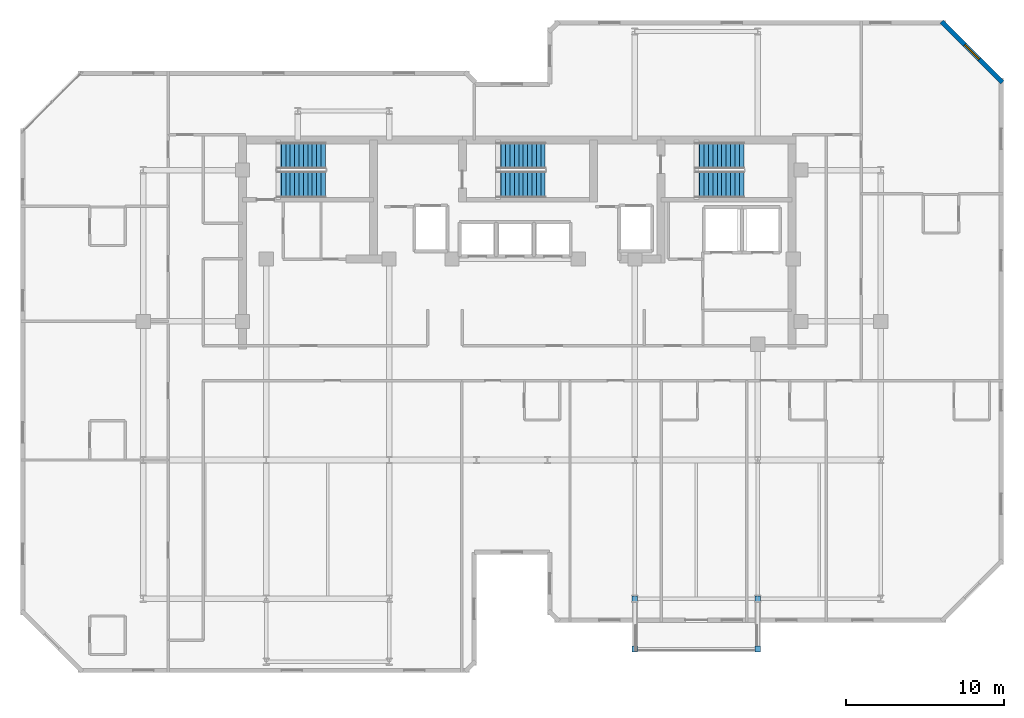
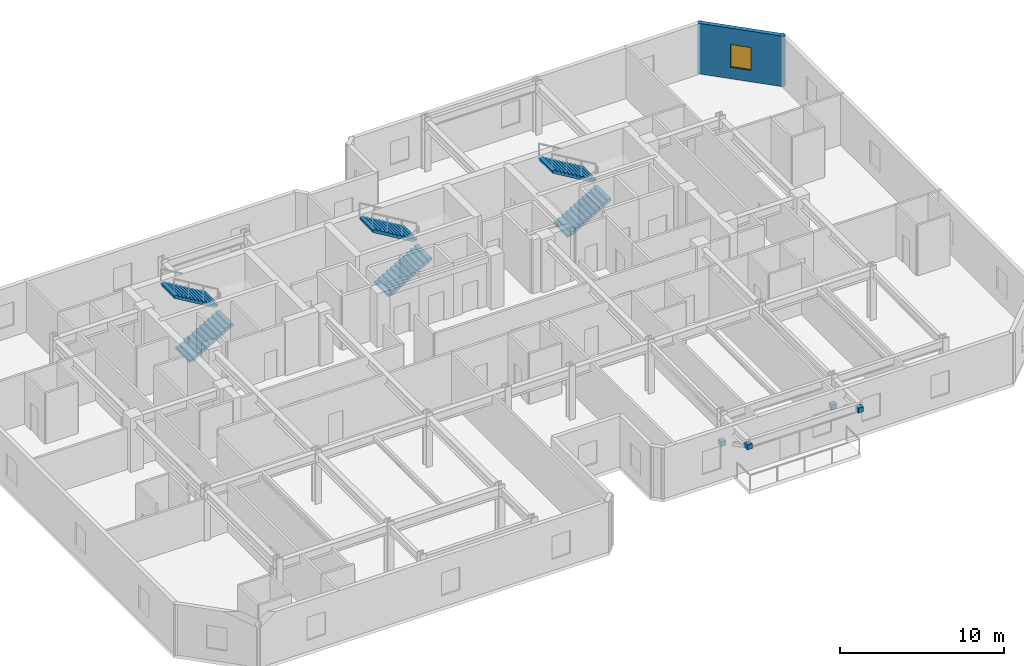
# One storey, part 8 of 11: 6 stair flights, 4 discrete accessories, 1 wall, 1 window, 1 opening, 3 elements without a shape of their own.
"""IFC4 building model written with IfcOpenShell, lengths in metres."""

from ifc_helpers import new_model, si_unit, direction, frame, frame_2d, origin, origin_2d, place, context, subcontext, project, spatial, polyline, rectangle, outline, extrude, material, layer, layer_set, type_object, element, fill, aggregate, save


model = new_model("IFC4")

# Units and contexts
model_context = context("Model", 3, precision=1e-05, world=origin(), true_north=direction((0.0, 1.0)))
body_context = subcontext(model_context, "Body", "Model", "MODEL_VIEW")
ifc_project = project(units=[si_unit("LENGTHUNIT", "METRE"), si_unit("AREAUNIT", "SQUARE_METRE"), si_unit("VOLUMEUNIT", "CUBIC_METRE"), si_unit("PLANEANGLEUNIT", "RADIAN"), si_unit("MASSUNIT", "GRAM", prefix="KILO")], contexts=[model_context])

# Site, building, storey
site_placement = place(None, origin())
site = spatial("IfcSite", under=ifc_project, at=site_placement, CompositionType="ELEMENT")
building_placement = place(site_placement, origin())
building = spatial("IfcBuilding", under=site, at=building_placement, Name="Kestravale Grand Hotel", CompositionType="ELEMENT")
storey_placement = place(building_placement, frame((0.0, 0.0, 249.39990234375)))
storey = spatial("IfcBuildingStorey", under=building, at=storey_placement, Name="L62", CompositionType="ELEMENT", Elevation=249.39990234375)

# Wall, opening, window
ifc_material_1 = material(Name="Precast concrete f'c 45 MPa", Category="concrete")
ifc_layer = layer(ifc_material_1, 0.280029296875)
ifc_layer_set = layer_set([ifc_layer], Name="EW-PREC-280")
wall_type = type_object("IfcWallType", Name="EW-PREC-280", PredefinedType="SOLIDWALL", material=ifc_layer_set)
wall_placement = place(storey_placement, frame((70.12939453125, 43.97265625, 0.0), z_axis=(0.0, 0.0, 1.0), x_axis=(-0.707106781187, 0.707106781187, 0.0)))
wall = element("IfcWall", 1, at=wall_placement, inside=storey, type_object=wall_type, Name="L62 fluted precast facade wall 10", PredefinedType="SOLIDWALL", context=body_context, shape_type="SweptSolid", body=[
    extrude(rectangle(XDim=5.4541015625, YDim=0.280029296875, at=frame_2d((2.72705078125, 0.0))), origin(), (0.0, 0.0, 1.0), 3.760009765625),
])
opening_placement = place(wall_placement, frame((2.076904296875, 0.0, 0.85009765625)))
opening = element("IfcOpeningElement", 2, at=opening_placement, cuts=wall, Name="Opening W-GUEST-1300", PredefinedType="OPENING", context=body_context, shape_type="SweptSolid", body=[
    extrude(rectangle(XDim=1.300048828125, YDim=1.699951171875, at=frame_2d((0.64990234375, 0.85009765625))), frame((0.0, 0.14990234375, 0.0), z_axis=(0.0, -1.0, 0.0), x_axis=(1.0, 0.0, 0.0)), (0.0, 0.0, 1.0), 0.300048828125),
])
ifc_material_2 = material(Name="Insulated low-E double glazing in aluminium frame", Category="aluminium")
window_type = type_object("IfcWindowType", Name="W-GUEST-1300", PartitioningType="SINGLE_PANEL", PredefinedType="WINDOW", material=ifc_material_2)
window_placement = place(opening_placement, origin())
window = element("IfcWindow", 3, at=window_placement, inside=storey, type_object=window_type, Name="L62 exterior window 10.1", OverallHeight=1.699951171875, OverallWidth=1.300048828125, PartitioningType="SINGLE_PANEL", PredefinedType="WINDOW", context=body_context, shape_type="SweptSolid", body=[
    extrude(rectangle(XDim=1.300048828125, YDim=1.699951171875, at=frame_2d((0.64990234375, 0.85009765625))), frame((0.0, 0.030029296875, 0.0), z_axis=(0.0, -1.0, 0.0), x_axis=(1.0, 0.0, 0.0)), (0.0, 0.0, 1.0), 0.06005859375),
])
fill(opening, window)

# Stair, stair flights
ifc_material_3 = material(Name="Concrete f'c 45 MPa", Category="concrete")
stair_type = type_object("IfcStairType", Name="ST-CORE-400", PredefinedType="HALF_TURN_STAIR", material=ifc_material_3)
stair_1_placement = place(storey_placement, origin())
stair_1 = element("IfcStair", 4, at=stair_1_placement, inside=storey, type_object=stair_type, Name="L62 ST-1", PredefinedType="HALF_TURN_STAIR")
ifc_material_4 = material(Name="Concrete f'c 45 MPa", Category="concrete")
stair_flight_type = type_object("IfcStairFlightType", Name="STF-CORE-400", PredefinedType="STRAIGHT", material=ifc_material_4)
stair_flight_1_placement = place(storey_placement, frame((24.080078125, 37.489990234375, 0.0), z_axis=(0.0, 0.0, 1.0), x_axis=(1.0, 0.0, 0.0)))
stair_flight_1 = element("IfcStairFlight", 5, at=stair_flight_1_placement, type_object=stair_flight_type, Name="ST-1 flight 1", NumberOfRisers=12, NumberOfTreads=11, PredefinedType="STRAIGHT", RiserHeight=0.166666667, TreadLength=0.28, context=body_context, shape_type="SweptSolid", body=[
    extrude(outline(polyline([(0.0, 0.0), (0.0, 0.166748046875), (0.280029296875, 0.166748046875), (0.280029296875, 0.333251953125), (0.56005859375, 0.333251953125), (0.56005859375, 0.5), (0.840087890625, 0.5), (0.840087890625, 0.666748046875), (1.1201171875, 0.666748046875), (1.1201171875, 0.833251953125), (1.39990234375, 0.833251953125), (1.39990234375, 1.0), (1.679931640625, 1.0), (1.679931640625, 1.166748046875), (1.9599609375, 1.166748046875), (1.9599609375, 1.333251953125), (2.239990234375, 1.333251953125), (2.239990234375, 1.5), (2.52001953125, 1.5), (2.52001953125, 1.666748046875), (2.800048828125, 1.666748046875), (2.800048828125, 1.833251953125), (3.080078125, 1.833251953125), (3.080078125, 2.0), (3.080078125, 1.658935546875), (0.29296875, 0.0), (0.0, 0.0)])), frame((0.0, 0.83984375, 0.0), z_axis=(0.0, -1.0, 0.0), x_axis=(1.0, 0.0, 0.0)), (0.0, 0.0, 1.0), 1.679931640625),
])
stair_flight_2_placement = place(storey_placement, frame((27.159912109375, 39.320068359375, 2.0), z_axis=(0.0, 0.0, 1.0), x_axis=(-1.0, 0.0, 0.0)))
stair_flight_2 = element("IfcStairFlight", 6, at=stair_flight_2_placement, type_object=stair_flight_type, Name="ST-1 flight 2", NumberOfRisers=12, NumberOfTreads=11, PredefinedType="STRAIGHT", RiserHeight=0.166666667, TreadLength=0.28, context=body_context, shape_type="SweptSolid", body=[
    extrude(outline(polyline([(0.0, 0.0), (0.0, 0.166748046875), (0.280029296875, 0.166748046875), (0.280029296875, 0.333251953125), (0.56005859375, 0.333251953125), (0.56005859375, 0.5), (0.840087890625, 0.5), (0.840087890625, 0.666748046875), (1.1201171875, 0.666748046875), (1.1201171875, 0.833251953125), (1.39990234375, 0.833251953125), (1.39990234375, 1.0), (1.679931640625, 1.0), (1.679931640625, 1.166748046875), (1.9599609375, 1.166748046875), (1.9599609375, 1.333251953125), (2.239990234375, 1.333251953125), (2.239990234375, 1.5), (2.52001953125, 1.5), (2.52001953125, 1.666748046875), (2.800048828125, 1.666748046875), (2.800048828125, 1.833251953125), (3.080078125, 1.833251953125), (3.080078125, 2.0), (3.080078125, 1.658935546875), (0.29296875, 0.0), (0.0, 0.0)])), frame((0.0, 0.83984375, 0.0), z_axis=(0.0, -1.0, 0.0), x_axis=(1.0, 0.0, 0.0)), (0.0, 0.0, 1.0), 1.679931640625),
])
aggregate(stair_1, [stair_flight_1, stair_flight_2])

stair_2_placement = place(storey_placement, origin())
stair_2 = element("IfcStair", 7, at=stair_2_placement, inside=storey, type_object=stair_type, Name="L62 ST-2", PredefinedType="HALF_TURN_STAIR")
stair_flight_3_placement = place(storey_placement, frame((38.030029296875, 37.489990234375, 0.0), z_axis=(0.0, 0.0, 1.0), x_axis=(1.0, 0.0, 0.0)))
stair_flight_3 = element("IfcStairFlight", 8, at=stair_flight_3_placement, type_object=stair_flight_type, Name="ST-2 flight 1", NumberOfRisers=12, NumberOfTreads=11, PredefinedType="STRAIGHT", RiserHeight=0.166666667, TreadLength=0.28, context=body_context, shape_type="SweptSolid", body=[
    extrude(outline(polyline([(0.0, 0.0), (0.0, 0.166748046875), (0.280029296875, 0.166748046875), (0.280029296875, 0.333251953125), (0.56005859375, 0.333251953125), (0.56005859375, 0.5), (0.840087890625, 0.5), (0.840087890625, 0.666748046875), (1.1201171875, 0.666748046875), (1.1201171875, 0.833251953125), (1.39990234375, 0.833251953125), (1.39990234375, 1.0), (1.679931640625, 1.0), (1.679931640625, 1.166748046875), (1.9599609375, 1.166748046875), (1.9599609375, 1.333251953125), (2.239990234375, 1.333251953125), (2.239990234375, 1.5), (2.52001953125, 1.5), (2.52001953125, 1.666748046875), (2.800048828125, 1.666748046875), (2.800048828125, 1.833251953125), (3.080078125, 1.833251953125), (3.080078125, 2.0), (3.080078125, 1.658935546875), (0.29296875, 0.0), (0.0, 0.0)])), frame((0.0, 0.83984375, 0.0), z_axis=(0.0, -1.0, 0.0), x_axis=(1.0, 0.0, 0.0)), (0.0, 0.0, 1.0), 1.679931640625),
])
stair_flight_4_placement = place(storey_placement, frame((41.110107421875, 39.320068359375, 2.0), z_axis=(0.0, 0.0, 1.0), x_axis=(-1.0, 0.0, 0.0)))
stair_flight_4 = element("IfcStairFlight", 9, at=stair_flight_4_placement, type_object=stair_flight_type, Name="ST-2 flight 2", NumberOfRisers=12, NumberOfTreads=11, PredefinedType="STRAIGHT", RiserHeight=0.166666667, TreadLength=0.28, context=body_context, shape_type="SweptSolid", body=[
    extrude(outline(polyline([(0.0, 0.0), (0.0, 0.166748046875), (0.280029296875, 0.166748046875), (0.280029296875, 0.333251953125), (0.56005859375, 0.333251953125), (0.56005859375, 0.5), (0.840087890625, 0.5), (0.840087890625, 0.666748046875), (1.1201171875, 0.666748046875), (1.1201171875, 0.833251953125), (1.39990234375, 0.833251953125), (1.39990234375, 1.0), (1.679931640625, 1.0), (1.679931640625, 1.166748046875), (1.9599609375, 1.166748046875), (1.9599609375, 1.333251953125), (2.239990234375, 1.333251953125), (2.239990234375, 1.5), (2.52001953125, 1.5), (2.52001953125, 1.666748046875), (2.800048828125, 1.666748046875), (2.800048828125, 1.833251953125), (3.080078125, 1.833251953125), (3.080078125, 2.0), (3.080078125, 1.658935546875), (0.29296875, 0.0), (0.0, 0.0)])), frame((0.0, 0.83984375, 0.0), z_axis=(0.0, -1.0, 0.0), x_axis=(1.0, 0.0, 0.0)), (0.0, 0.0, 1.0), 1.679931640625),
])
aggregate(stair_2, [stair_flight_3, stair_flight_4])

stair_3_placement = place(storey_placement, origin())
stair_3 = element("IfcStair", 10, at=stair_3_placement, inside=storey, type_object=stair_type, Name="L62 ST-3", PredefinedType="HALF_TURN_STAIR")
stair_flight_5_placement = place(storey_placement, frame((50.6298828125, 37.489990234375, 0.0), z_axis=(0.0, 0.0, 1.0), x_axis=(1.0, 0.0, 0.0)))
stair_flight_5 = element("IfcStairFlight", 11, at=stair_flight_5_placement, type_object=stair_flight_type, Name="ST-3 flight 1", NumberOfRisers=12, NumberOfTreads=11, PredefinedType="STRAIGHT", RiserHeight=0.166666667, TreadLength=0.28, context=body_context, shape_type="SweptSolid", body=[
    extrude(outline(polyline([(0.0, 0.0), (0.0, 0.166748046875), (0.280029296875, 0.166748046875), (0.280029296875, 0.333251953125), (0.56005859375, 0.333251953125), (0.56005859375, 0.5), (0.840087890625, 0.5), (0.840087890625, 0.666748046875), (1.1201171875, 0.666748046875), (1.1201171875, 0.833251953125), (1.39990234375, 0.833251953125), (1.39990234375, 1.0), (1.679931640625, 1.0), (1.679931640625, 1.166748046875), (1.9599609375, 1.166748046875), (1.9599609375, 1.333251953125), (2.239990234375, 1.333251953125), (2.239990234375, 1.5), (2.52001953125, 1.5), (2.52001953125, 1.666748046875), (2.800048828125, 1.666748046875), (2.800048828125, 1.833251953125), (3.080078125, 1.833251953125), (3.080078125, 2.0), (3.080078125, 1.658935546875), (0.29296875, 0.0), (0.0, 0.0)])), frame((0.0, 0.83984375, 0.0), z_axis=(0.0, -1.0, 0.0), x_axis=(1.0, 0.0, 0.0)), (0.0, 0.0, 1.0), 1.679931640625),
])
stair_flight_6_placement = place(storey_placement, frame((53.7099609375, 39.320068359375, 2.0), z_axis=(0.0, 0.0, 1.0), x_axis=(-1.0, 0.0, 0.0)))
stair_flight_6 = element("IfcStairFlight", 12, at=stair_flight_6_placement, type_object=stair_flight_type, Name="ST-3 flight 2", NumberOfRisers=12, NumberOfTreads=11, PredefinedType="STRAIGHT", RiserHeight=0.166666667, TreadLength=0.28, context=body_context, shape_type="SweptSolid", body=[
    extrude(outline(polyline([(0.0, 0.0), (0.0, 0.166748046875), (0.280029296875, 0.166748046875), (0.280029296875, 0.333251953125), (0.56005859375, 0.333251953125), (0.56005859375, 0.5), (0.840087890625, 0.5), (0.840087890625, 0.666748046875), (1.1201171875, 0.666748046875), (1.1201171875, 0.833251953125), (1.39990234375, 0.833251953125), (1.39990234375, 1.0), (1.679931640625, 1.0), (1.679931640625, 1.166748046875), (1.9599609375, 1.166748046875), (1.9599609375, 1.333251953125), (2.239990234375, 1.333251953125), (2.239990234375, 1.5), (2.52001953125, 1.5), (2.52001953125, 1.666748046875), (2.800048828125, 1.666748046875), (2.800048828125, 1.833251953125), (3.080078125, 1.833251953125), (3.080078125, 2.0), (3.080078125, 1.658935546875), (0.29296875, 0.0), (0.0, 0.0)])), frame((0.0, 0.83984375, 0.0), z_axis=(0.0, -1.0, 0.0), x_axis=(1.0, 0.0, 0.0)), (0.0, 0.0, 1.0), 1.679931640625),
])
aggregate(stair_3, [stair_flight_5, stair_flight_6])

# Discrete accessories
ifc_material_5 = material(Name="Steel ASTM A572 Grade 50 hot-dip galvanised bracket", Category="steel")
discrete_accessory_type = type_object("IfcDiscreteAccessoryType", Name="ACC-BRK-STL", PredefinedType="BRACKET", material=ifc_material_5)
for number, where, z_axis, x_axis, name in (
    (13, (46.800048828125, 11.199951171875, 1.39404296875), (0.0, 0.0, 1.0), (1.0, 0.0, 0.0), "L63 terrace strut column bracket 1"),
    (14, (46.800048828125, 8.0, 3.09423828125), (0.0, 0.0, 1.0), (1.0, 0.0, 0.0), "L63 terrace strut beam bracket 1"),
    (15, (54.60009765625, 11.199951171875, 1.39404296875), (0.0, 0.0, 1.0), (1.0, 0.0, 0.0), "L63 terrace strut column bracket 2"),
    (16, (54.60009765625, 8.0, 3.09423828125), (0.0, 0.0, 1.0), (1.0, 0.0, 0.0), "L63 terrace strut beam bracket 2"),
):
    element("IfcDiscreteAccessory", number, at=place(storey_placement, frame(where, z_axis=z_axis, x_axis=x_axis)), inside=storey, type_object=discrete_accessory_type, Name=name, PredefinedType="BRACKET", context=body_context, shape_type="SweptSolid", body=[
        extrude(rectangle(XDim=0.360107421875, YDim=0.360107421875, at=origin_2d()), origin(), (0.0, 0.0, 1.0), 0.360107421875),
    ])

save(model, "model.ifc")
